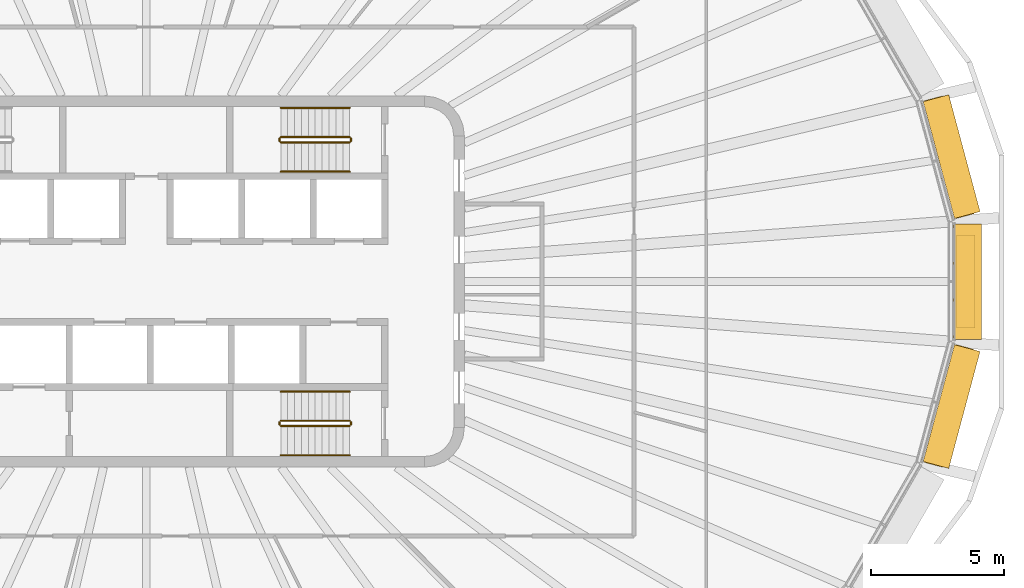
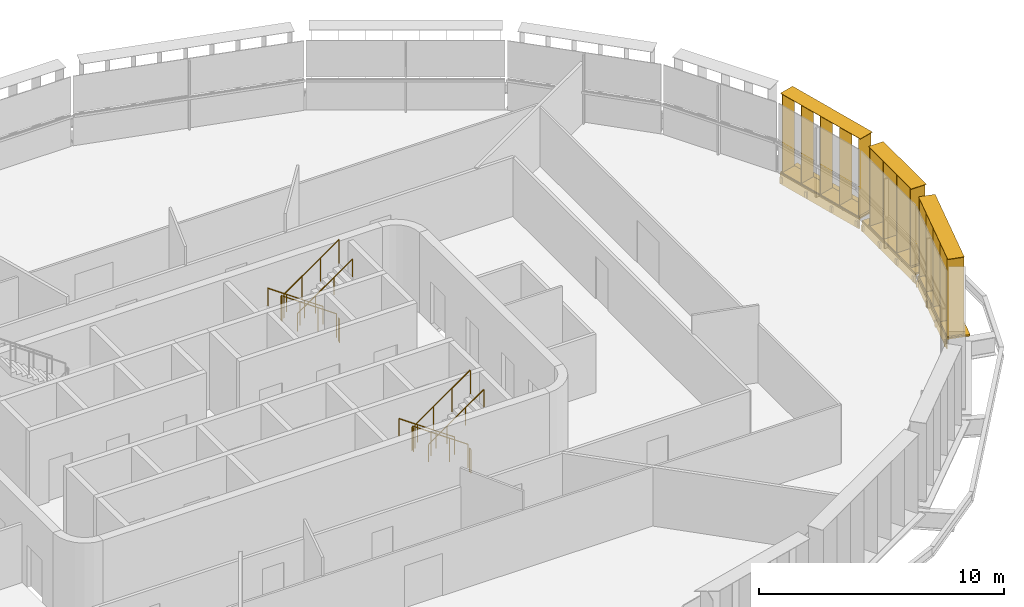
# One storey, part 18 of 19: 12 railings, 6 shading devices.
"""IFC4 building model written with IfcOpenShell, lengths in metres."""

from ifc_helpers import new_model, si_unit, direction, frame, origin, origin_2d, place, context, subcontext, project, spatial, rectangle, circle, extrude, material, type_object, element, save


model = new_model("IFC4")

# Units and contexts
model_context = context("Model", 3, precision=1e-05, world=origin(), true_north=direction((0.0, 1.0)))
body_context = subcontext(model_context, "Body", "Model", "MODEL_VIEW")
ifc_project = project(units=[si_unit("LENGTHUNIT", "METRE"), si_unit("AREAUNIT", "SQUARE_METRE"), si_unit("VOLUMEUNIT", "CUBIC_METRE"), si_unit("PLANEANGLEUNIT", "RADIAN"), si_unit("MASSUNIT", "GRAM", prefix="KILO")], contexts=[model_context])

# Site, building, storey
site_placement = place(None, origin())
site = spatial("IfcSite", under=ifc_project, at=site_placement, CompositionType="ELEMENT")
building_placement = place(site_placement, origin())
building = spatial("IfcBuilding", under=site, at=building_placement, Name="Sahrelin Media Tower", CompositionType="ELEMENT")
storey_placement = place(building_placement, frame((0.0, 0.0, 229.60009765625)))
storey = spatial("IfcBuildingStorey", under=building, at=storey_placement, Name="L49", CompositionType="ELEMENT", Elevation=229.60009765625)

# Shading devices
ifc_material_1 = material(Name="Champagne anodised aluminium 6063-T6", Category="aluminium")
shading_device_type_1 = type_object("IfcShadingDeviceType", Name="Fin cassette", PredefinedType="USERDEFINED", material=ifc_material_1)
placement_1 = place(storey_placement, frame((30.494140625, 0.0, 0.0), z_axis=(0.0, 0.0, 1.0), x_axis=(0.0, -1.0, 0.0)))
element("IfcShadingDevice", 1, at=placement_1, inside=storey, type_object=shading_device_type_1, Name="L49:FIN:L49-00", ObjectType="FIN", PredefinedType="USERDEFINED", context=body_context, shape_type="SweptSolid", body=[
    extrude(rectangle(XDim=3.5, YDim=0.699951171875, at=origin_2d()), frame((0.0, 0.419921875, 0.0)), (0.0, 0.0, 1.0), 0.02001953125),
    extrude(rectangle(XDim=3.5, YDim=0.699951171875, at=origin_2d()), frame((0.0, 0.419921875, 3.89990234375)), (0.0, 0.0, 1.0), 0.02001953125),
    extrude(rectangle(XDim=0.02001953125, YDim=0.699951171875, at=origin_2d()), frame((-1.64990234375, 0.419921875, 0.010009765625), z_axis=(0.0, 0.0, 1.0), x_axis=(1.0, 0.0, 0.0)), (0.0, 0.0, 1.0), 3.89990234375),
    extrude(rectangle(XDim=0.02001953125, YDim=0.699951171875, at=origin_2d()), frame((-0.550048828125, 0.419921875, 0.010009765625), z_axis=(0.0, 0.0, 1.0), x_axis=(1.0, 0.0, 0.0)), (0.0, 0.0, 1.0), 3.89990234375),
    extrude(rectangle(XDim=0.02001953125, YDim=0.699951171875, at=origin_2d()), frame((0.550048828125, 0.419921875, 0.010009765625), z_axis=(0.0, 0.0, 1.0), x_axis=(1.0, 0.0, 0.0)), (0.0, 0.0, 1.0), 3.89990234375),
    extrude(rectangle(XDim=0.02001953125, YDim=0.699951171875, at=origin_2d()), frame((1.64990234375, 0.419921875, 0.010009765625), z_axis=(0.0, 0.0, 1.0), x_axis=(1.0, 0.0, 0.0)), (0.0, 0.0, 1.0), 3.89990234375),
])
placement_2 = place(storey_placement, frame((29.87744140625, 4.5791015625, 0.0), z_axis=(0.0, 0.0, 1.0), x_axis=(0.258807731996, -0.965928857556, 0.0)))
element("IfcShadingDevice", 2, at=placement_2, inside=storey, type_object=shading_device_type_1, Name="L49:FIN:L49-01", ObjectType="FIN", PredefinedType="USERDEFINED", context=body_context, shape_type="SweptSolid", body=[
    extrude(rectangle(XDim=4.60009765625, YDim=0.699951171875, at=origin_2d()), frame((0.0, 0.419921875, 0.0)), (0.0, 0.0, 1.0), 0.02001953125),
    extrude(rectangle(XDim=4.60009765625, YDim=0.699951171875, at=origin_2d()), frame((0.0, 0.419921875, 3.89990234375)), (0.0, 0.0, 1.0), 0.02001953125),
    extrude(rectangle(XDim=0.02001953125, YDim=0.699951171875, at=origin_2d()), frame((-2.199951171875, 0.419921875, 0.010009765625), z_axis=(0.0, 0.0, 1.0), x_axis=(1.0, 0.0, 0.0)), (0.0, 0.0, 1.0), 3.89990234375),
    extrude(rectangle(XDim=0.02001953125, YDim=0.699951171875, at=origin_2d()), frame((-1.10009765625, 0.419921875, 0.010009765625), z_axis=(0.0, 0.0, 1.0), x_axis=(1.0, 0.0, 0.0)), (0.0, 0.0, 1.0), 3.89990234375),
    extrude(rectangle(XDim=0.02001953125, YDim=0.699951171875, at=origin_2d()), frame((0.0, 0.419921875, 0.010009765625), z_axis=(0.0, 0.0, 1.0), x_axis=(1.0, 0.0, 0.0)), (0.0, 0.0, 1.0), 3.89990234375),
    extrude(rectangle(XDim=0.02001953125, YDim=0.699951171875, at=origin_2d()), frame((1.10009765625, 0.419921875, 0.010009765625), z_axis=(0.0, 0.0, 1.0), x_axis=(1.0, 0.0, 0.0)), (0.0, 0.0, 1.0), 3.89990234375),
    extrude(rectangle(XDim=0.02001953125, YDim=0.699951171875, at=origin_2d()), frame((2.199951171875, 0.419921875, 0.010009765625), z_axis=(0.0, 0.0, 1.0), x_axis=(1.0, 0.0, 0.0)), (0.0, 0.0, 1.0), 3.89990234375),
])
placement_3 = place(storey_placement, frame((29.87744140625, -4.5791015625, 0.0), z_axis=(0.0, 0.0, 1.0), x_axis=(-0.258807731996, -0.965928857556, 0.0)))
element("IfcShadingDevice", 3, at=placement_3, inside=storey, type_object=shading_device_type_1, Name="L49:FIN:L49-23", ObjectType="FIN", PredefinedType="USERDEFINED", context=body_context, shape_type="SweptSolid", body=[
    extrude(rectangle(XDim=4.60009765625, YDim=0.699951171875, at=origin_2d()), frame((0.0, 0.419921875, 0.0)), (0.0, 0.0, 1.0), 0.02001953125),
    extrude(rectangle(XDim=4.60009765625, YDim=0.699951171875, at=origin_2d()), frame((0.0, 0.419921875, 3.89990234375)), (0.0, 0.0, 1.0), 0.02001953125),
    extrude(rectangle(XDim=0.02001953125, YDim=0.699951171875, at=origin_2d()), frame((-2.199951171875, 0.419921875, 0.010009765625), z_axis=(0.0, 0.0, 1.0), x_axis=(1.0, 0.0, 0.0)), (0.0, 0.0, 1.0), 3.89990234375),
    extrude(rectangle(XDim=0.02001953125, YDim=0.699951171875, at=origin_2d()), frame((-1.10009765625, 0.419921875, 0.010009765625), z_axis=(0.0, 0.0, 1.0), x_axis=(1.0, 0.0, 0.0)), (0.0, 0.0, 1.0), 3.89990234375),
    extrude(rectangle(XDim=0.02001953125, YDim=0.699951171875, at=origin_2d()), frame((0.0, 0.419921875, 0.010009765625), z_axis=(0.0, 0.0, 1.0), x_axis=(1.0, 0.0, 0.0)), (0.0, 0.0, 1.0), 3.89990234375),
    extrude(rectangle(XDim=0.02001953125, YDim=0.699951171875, at=origin_2d()), frame((1.10009765625, 0.419921875, 0.010009765625), z_axis=(0.0, 0.0, 1.0), x_axis=(1.0, 0.0, 0.0)), (0.0, 0.0, 1.0), 3.89990234375),
    extrude(rectangle(XDim=0.02001953125, YDim=0.699951171875, at=origin_2d()), frame((2.199951171875, 0.419921875, 0.010009765625), z_axis=(0.0, 0.0, 1.0), x_axis=(1.0, 0.0, 0.0)), (0.0, 0.0, 1.0), 3.89990234375),
])

# Railings
ifc_material_2 = material(Name="Steel S355", Category="steel")
railing_type_1 = type_object("IfcRailingType", Name="Stair guard 1200", PredefinedType="GUARDRAIL", material=ifc_material_2)
railing_1_placement = place(storey_placement, frame((7.675048828125, 5.449951171875, 0.181640625)))
element("IfcRailing", 4, at=railing_1_placement, inside=storey, type_object=railing_type_1, Name="L49 ST3 stair guard 1", PredefinedType="GUARDRAIL", context=body_context, shape_type="SweptSolid", body=[
    extrude(circle(Radius=0.02392578125, at=origin_2d()), frame((0.0, 0.0, 1.17578125), z_axis=(-0.819484887739, 0.0, 0.573100792852), x_axis=(0.0, -1.0, 0.0)), (0.0, 0.0, 1.0), 3.1728515625),
    extrude(circle(Radius=0.02099609375, at=origin_2d()), origin(), (0.0, 0.0, 1.0), 1.15185546875),
    extrude(circle(Radius=0.02099609375, at=origin_2d()), frame((-0.86669921875, 0.0, 0.606201171875)), (0.0, 0.0, 1.0), 1.15185546875),
    extrude(circle(Radius=0.02099609375, at=origin_2d()), frame((-1.7333984375, 0.0, 1.212158203125)), (0.0, 0.0, 1.0), 1.15185546875),
    extrude(circle(Radius=0.02099609375, at=origin_2d()), frame((-2.60009765625, 0.0, 1.818359375)), (0.0, 0.0, 1.0), 1.15185546875),
])
railing_2_placement = place(storey_placement, frame((5.02490234375, 5.39990234375, 2.0)))
element("IfcRailing", 5, at=railing_2_placement, inside=storey, type_object=railing_type_1, Name="L49 ST3 stair guard 2", PredefinedType="GUARDRAIL", context=body_context, shape_type="SweptSolid", body=[
    extrude(circle(Radius=0.02392578125, at=origin_2d()), frame((0.0, 0.0, 1.17578125), z_axis=(0.0, -1.0, 0.0), x_axis=(1.0, 0.0, 0.0)), (0.0, 0.0, 1.0), 0.099853515625),
    extrude(circle(Radius=0.02099609375, at=origin_2d()), origin(), (0.0, 0.0, 1.0), 1.15185546875),
    extrude(circle(Radius=0.02099609375, at=origin_2d()), frame((0.0, -0.099853515625, 0.0)), (0.0, 0.0, 1.0), 1.15185546875),
])
railing_3_placement = place(storey_placement, frame((5.074951171875, 5.25, 2.181640625)))
element("IfcRailing", 6, at=railing_3_placement, inside=storey, type_object=railing_type_1, Name="L49 ST3 stair guard 3", PredefinedType="GUARDRAIL", context=body_context, shape_type="SweptSolid", body=[
    extrude(circle(Radius=0.02392578125, at=origin_2d()), frame((0.0, 0.0, 1.17578125), z_axis=(0.819484887739, 0.0, 0.573100792852), x_axis=(0.0, 1.0, 0.0)), (0.0, 0.0, 1.0), 3.1728515625),
    extrude(circle(Radius=0.02099609375, at=origin_2d()), origin(), (0.0, 0.0, 1.0), 1.15185546875),
    extrude(circle(Radius=0.02099609375, at=origin_2d()), frame((0.86669921875, 0.0, 0.606201171875)), (0.0, 0.0, 1.0), 1.15185546875),
    extrude(circle(Radius=0.02099609375, at=origin_2d()), frame((1.7333984375, 0.0, 1.212158203125)), (0.0, 0.0, 1.0), 1.15185546875),
    extrude(circle(Radius=0.02099609375, at=origin_2d()), frame((2.60009765625, 0.0, 1.818359375)), (0.0, 0.0, 1.0), 1.15185546875),
])
railing_4_placement = place(storey_placement, frame((7.72509765625, 5.39990234375, 0.0)))
element("IfcRailing", 7, at=railing_4_placement, inside=storey, type_object=railing_type_1, Name="L49 ST3 stair guard 4", PredefinedType="GUARDRAIL", context=body_context, shape_type="SweptSolid", body=[
    extrude(circle(Radius=0.02392578125, at=origin_2d()), frame((0.0, 0.0, 1.17578125), z_axis=(0.0, -1.0, 0.0), x_axis=(1.0, 0.0, 0.0)), (0.0, 0.0, 1.0), 0.099853515625),
    extrude(circle(Radius=0.02099609375, at=origin_2d()), origin(), (0.0, 0.0, 1.0), 1.15185546875),
    extrude(circle(Radius=0.02099609375, at=origin_2d()), frame((0.0, -0.099853515625, 0.0)), (0.0, 0.0, 1.0), 1.15185546875),
])
railing_5_placement = place(storey_placement, frame((7.675048828125, -5.25, 0.181640625)))
element("IfcRailing", 8, at=railing_5_placement, inside=storey, type_object=railing_type_1, Name="L49 ST2 stair guard 1", PredefinedType="GUARDRAIL", context=body_context, shape_type="SweptSolid", body=[
    extrude(circle(Radius=0.02392578125, at=origin_2d()), frame((0.0, 0.0, 1.17578125), z_axis=(-0.819484887739, 0.0, 0.573100792852), x_axis=(0.0, -1.0, 0.0)), (0.0, 0.0, 1.0), 3.1728515625),
    extrude(circle(Radius=0.02099609375, at=origin_2d()), origin(), (0.0, 0.0, 1.0), 1.15185546875),
    extrude(circle(Radius=0.02099609375, at=origin_2d()), frame((-0.86669921875, 0.0, 0.606201171875)), (0.0, 0.0, 1.0), 1.15185546875),
    extrude(circle(Radius=0.02099609375, at=origin_2d()), frame((-1.7333984375, 0.0, 1.212158203125)), (0.0, 0.0, 1.0), 1.15185546875),
    extrude(circle(Radius=0.02099609375, at=origin_2d()), frame((-2.60009765625, 0.0, 1.818359375)), (0.0, 0.0, 1.0), 1.15185546875),
])
railing_6_placement = place(storey_placement, frame((5.02490234375, -5.300048828125, 2.0)))
element("IfcRailing", 9, at=railing_6_placement, inside=storey, type_object=railing_type_1, Name="L49 ST2 stair guard 2", PredefinedType="GUARDRAIL", context=body_context, shape_type="SweptSolid", body=[
    extrude(circle(Radius=0.02392578125, at=origin_2d()), frame((0.0, 0.0, 1.17578125), z_axis=(0.0, -1.0, 0.0), x_axis=(1.0, 0.0, 0.0)), (0.0, 0.0, 1.0), 0.099853515625),
    extrude(circle(Radius=0.02099609375, at=origin_2d()), origin(), (0.0, 0.0, 1.0), 1.15185546875),
    extrude(circle(Radius=0.02099609375, at=origin_2d()), frame((0.0, -0.099853515625, 0.0)), (0.0, 0.0, 1.0), 1.15185546875),
])
railing_7_placement = place(storey_placement, frame((5.074951171875, -5.449951171875, 2.181640625)))
element("IfcRailing", 10, at=railing_7_placement, inside=storey, type_object=railing_type_1, Name="L49 ST2 stair guard 3", PredefinedType="GUARDRAIL", context=body_context, shape_type="SweptSolid", body=[
    extrude(circle(Radius=0.02392578125, at=origin_2d()), frame((0.0, 0.0, 1.17578125), z_axis=(0.819484887739, 0.0, 0.573100792852), x_axis=(0.0, 1.0, 0.0)), (0.0, 0.0, 1.0), 3.1728515625),
    extrude(circle(Radius=0.02099609375, at=origin_2d()), origin(), (0.0, 0.0, 1.0), 1.15185546875),
    extrude(circle(Radius=0.02099609375, at=origin_2d()), frame((0.86669921875, 0.0, 0.606201171875)), (0.0, 0.0, 1.0), 1.15185546875),
    extrude(circle(Radius=0.02099609375, at=origin_2d()), frame((1.7333984375, 0.0, 1.212158203125)), (0.0, 0.0, 1.0), 1.15185546875),
    extrude(circle(Radius=0.02099609375, at=origin_2d()), frame((2.60009765625, 0.0, 1.818359375)), (0.0, 0.0, 1.0), 1.15185546875),
])
railing_8_placement = place(storey_placement, frame((7.72509765625, -5.300048828125, 0.0)))
element("IfcRailing", 11, at=railing_8_placement, inside=storey, type_object=railing_type_1, Name="L49 ST2 stair guard 4", PredefinedType="GUARDRAIL", context=body_context, shape_type="SweptSolid", body=[
    extrude(circle(Radius=0.02392578125, at=origin_2d()), frame((0.0, 0.0, 1.17578125), z_axis=(0.0, -1.0, 0.0), x_axis=(1.0, 0.0, 0.0)), (0.0, 0.0, 1.0), 0.099853515625),
    extrude(circle(Radius=0.02099609375, at=origin_2d()), origin(), (0.0, 0.0, 1.0), 1.15185546875),
    extrude(circle(Radius=0.02099609375, at=origin_2d()), frame((0.0, -0.099853515625, 0.0)), (0.0, 0.0, 1.0), 1.15185546875),
])
railing_type_2 = type_object("IfcRailingType", Name="Stair handrail 900", PredefinedType="HANDRAIL", material=ifc_material_2)
railing_9_placement = place(storey_placement, frame((7.675048828125, 6.550048828125, 0.181640625)))
element("IfcRailing", 12, at=railing_9_placement, inside=storey, type_object=railing_type_2, Name="L49 ST3 stair handrail 1", PredefinedType="HANDRAIL", context=body_context, shape_type="SweptSolid", body=[
    extrude(circle(Radius=0.02392578125, at=origin_2d()), frame((0.0, 0.0, 0.8759765625), z_axis=(-0.819484887739, 0.0, 0.573100792852), x_axis=(0.0, -1.0, 0.0)), (0.0, 0.0, 1.0), 3.1728515625),
    extrude(circle(Radius=0.02099609375, at=origin_2d()), origin(), (0.0, 0.0, 1.0), 0.851806640625),
    extrude(circle(Radius=0.02099609375, at=origin_2d()), frame((-0.86669921875, 0.0, 0.606201171875)), (0.0, 0.0, 1.0), 0.851806640625),
    extrude(circle(Radius=0.02099609375, at=origin_2d()), frame((-1.7333984375, 0.0, 1.212158203125)), (0.0, 0.0, 1.0), 0.851806640625),
    extrude(circle(Radius=0.02099609375, at=origin_2d()), frame((-2.60009765625, 0.0, 1.818359375)), (0.0, 0.0, 1.0), 0.851806640625),
])
railing_10_placement = place(storey_placement, frame((5.074951171875, 4.14990234375, 2.181640625)))
element("IfcRailing", 13, at=railing_10_placement, inside=storey, type_object=railing_type_2, Name="L49 ST3 stair handrail 2", PredefinedType="HANDRAIL", context=body_context, shape_type="SweptSolid", body=[
    extrude(circle(Radius=0.02392578125, at=origin_2d()), frame((0.0, 0.0, 0.8759765625), z_axis=(0.819484887739, 0.0, 0.573100792852), x_axis=(0.0, 1.0, 0.0)), (0.0, 0.0, 1.0), 3.1728515625),
    extrude(circle(Radius=0.02099609375, at=origin_2d()), origin(), (0.0, 0.0, 1.0), 0.851806640625),
    extrude(circle(Radius=0.02099609375, at=origin_2d()), frame((0.86669921875, 0.0, 0.606201171875)), (0.0, 0.0, 1.0), 0.851806640625),
    extrude(circle(Radius=0.02099609375, at=origin_2d()), frame((1.7333984375, 0.0, 1.212158203125)), (0.0, 0.0, 1.0), 0.851806640625),
    extrude(circle(Radius=0.02099609375, at=origin_2d()), frame((2.60009765625, 0.0, 1.818359375)), (0.0, 0.0, 1.0), 0.851806640625),
])
railing_11_placement = place(storey_placement, frame((7.675048828125, -4.14990234375, 0.181640625)))
element("IfcRailing", 14, at=railing_11_placement, inside=storey, type_object=railing_type_2, Name="L49 ST2 stair handrail 1", PredefinedType="HANDRAIL", context=body_context, shape_type="SweptSolid", body=[
    extrude(circle(Radius=0.02392578125, at=origin_2d()), frame((0.0, 0.0, 0.8759765625), z_axis=(-0.819484887739, 0.0, 0.573100792852), x_axis=(0.0, -1.0, 0.0)), (0.0, 0.0, 1.0), 3.1728515625),
    extrude(circle(Radius=0.02099609375, at=origin_2d()), origin(), (0.0, 0.0, 1.0), 0.851806640625),
    extrude(circle(Radius=0.02099609375, at=origin_2d()), frame((-0.86669921875, 0.0, 0.606201171875)), (0.0, 0.0, 1.0), 0.851806640625),
    extrude(circle(Radius=0.02099609375, at=origin_2d()), frame((-1.7333984375, 0.0, 1.212158203125)), (0.0, 0.0, 1.0), 0.851806640625),
    extrude(circle(Radius=0.02099609375, at=origin_2d()), frame((-2.60009765625, 0.0, 1.818359375)), (0.0, 0.0, 1.0), 0.851806640625),
])
railing_12_placement = place(storey_placement, frame((5.074951171875, -6.550048828125, 2.181640625)))
element("IfcRailing", 15, at=railing_12_placement, inside=storey, type_object=railing_type_2, Name="L49 ST2 stair handrail 2", PredefinedType="HANDRAIL", context=body_context, shape_type="SweptSolid", body=[
    extrude(circle(Radius=0.02392578125, at=origin_2d()), frame((0.0, 0.0, 0.8759765625), z_axis=(0.819484887739, 0.0, 0.573100792852), x_axis=(0.0, 1.0, 0.0)), (0.0, 0.0, 1.0), 3.1728515625),
    extrude(circle(Radius=0.02099609375, at=origin_2d()), origin(), (0.0, 0.0, 1.0), 0.851806640625),
    extrude(circle(Radius=0.02099609375, at=origin_2d()), frame((0.86669921875, 0.0, 0.606201171875)), (0.0, 0.0, 1.0), 0.851806640625),
    extrude(circle(Radius=0.02099609375, at=origin_2d()), frame((1.7333984375, 0.0, 1.212158203125)), (0.0, 0.0, 1.0), 0.851806640625),
    extrude(circle(Radius=0.02099609375, at=origin_2d()), frame((2.60009765625, 0.0, 1.818359375)), (0.0, 0.0, 1.0), 0.851806640625),
])

# Shading devices
shading_device_type_2 = type_object("IfcShadingDeviceType", Name="Sunshade band", PredefinedType="USERDEFINED", material=ifc_material_1)
element("IfcShadingDevice", 16, at=placement_1, inside=storey, type_object=shading_device_type_2, Name="L49:SUN:L49-00", ObjectType="SUNSHADE", PredefinedType="USERDEFINED", context=body_context, shape_type="SweptSolid", body=[
    extrude(rectangle(XDim=4.355712890625, YDim=0.050048828125, at=origin_2d()), frame((0.0, 0.044921875, -0.55126953125)), (0.0, 0.0, 1.0), 0.471435546875),
    extrude(rectangle(XDim=4.355712890625, YDim=1.0, at=origin_2d()), frame((0.0, 0.52001953125, -0.080078125)), (0.0, 0.0, 1.0), 0.080078125),
    extrude(rectangle(XDim=0.10009765625, YDim=0.074951171875, at=origin_2d()), frame((-2.077880859375, -0.017578125, -0.47021484375)), (0.0, 0.0, 1.0), 0.300048828125),
    extrude(rectangle(XDim=0.10009765625, YDim=0.074951171875, at=origin_2d()), frame((-0.692626953125, -0.017578125, -0.47021484375)), (0.0, 0.0, 1.0), 0.300048828125),
    extrude(rectangle(XDim=0.10009765625, YDim=0.074951171875, at=origin_2d()), frame((0.692626953125, -0.017578125, -0.47021484375)), (0.0, 0.0, 1.0), 0.300048828125),
    extrude(rectangle(XDim=0.10009765625, YDim=0.074951171875, at=origin_2d()), frame((2.077880859375, -0.017578125, -0.47021484375)), (0.0, 0.0, 1.0), 0.300048828125),
])
element("IfcShadingDevice", 17, at=placement_2, inside=storey, type_object=shading_device_type_2, Name="L49:SUN:L49-01", ObjectType="SUNSHADE", PredefinedType="USERDEFINED", context=body_context, shape_type="SweptSolid", body=[
    extrude(rectangle(XDim=4.564697265625, YDim=0.050048828125, at=origin_2d()), frame((0.0, 0.044921875, -0.55126953125)), (0.0, 0.0, 1.0), 0.471435546875),
    extrude(rectangle(XDim=4.564697265625, YDim=1.0, at=origin_2d()), frame((0.0, 0.52001953125, -0.080078125)), (0.0, 0.0, 1.0), 0.080078125),
    extrude(rectangle(XDim=0.10009765625, YDim=0.074951171875, at=origin_2d()), frame((-2.182373046875, -0.017578125, -0.47021484375)), (0.0, 0.0, 1.0), 0.300048828125),
    extrude(rectangle(XDim=0.10009765625, YDim=0.074951171875, at=origin_2d()), frame((-0.7275390625, -0.017578125, -0.47021484375)), (0.0, 0.0, 1.0), 0.300048828125),
    extrude(rectangle(XDim=0.10009765625, YDim=0.074951171875, at=origin_2d()), frame((0.7275390625, -0.017578125, -0.47021484375)), (0.0, 0.0, 1.0), 0.300048828125),
    extrude(rectangle(XDim=0.10009765625, YDim=0.074951171875, at=origin_2d()), frame((2.182373046875, -0.017578125, -0.47021484375)), (0.0, 0.0, 1.0), 0.300048828125),
])
element("IfcShadingDevice", 18, at=placement_3, inside=storey, type_object=shading_device_type_2, Name="L49:SUN:L49-23", ObjectType="SUNSHADE", PredefinedType="USERDEFINED", context=body_context, shape_type="SweptSolid", body=[
    extrude(rectangle(XDim=4.564697265625, YDim=0.050048828125, at=origin_2d()), frame((0.0, 0.044921875, -0.55126953125)), (0.0, 0.0, 1.0), 0.471435546875),
    extrude(rectangle(XDim=4.564697265625, YDim=1.0, at=origin_2d()), frame((0.0, 0.52001953125, -0.080078125)), (0.0, 0.0, 1.0), 0.080078125),
    extrude(rectangle(XDim=0.10009765625, YDim=0.074951171875, at=origin_2d()), frame((-2.182373046875, -0.017578125, -0.47021484375)), (0.0, 0.0, 1.0), 0.300048828125),
    extrude(rectangle(XDim=0.10009765625, YDim=0.074951171875, at=origin_2d()), frame((-0.7275390625, -0.017578125, -0.47021484375)), (0.0, 0.0, 1.0), 0.300048828125),
    extrude(rectangle(XDim=0.10009765625, YDim=0.074951171875, at=origin_2d()), frame((0.7275390625, -0.017578125, -0.47021484375)), (0.0, 0.0, 1.0), 0.300048828125),
    extrude(rectangle(XDim=0.10009765625, YDim=0.074951171875, at=origin_2d()), frame((2.182373046875, -0.017578125, -0.47021484375)), (0.0, 0.0, 1.0), 0.300048828125),
])

save(model, "model.ifc")
